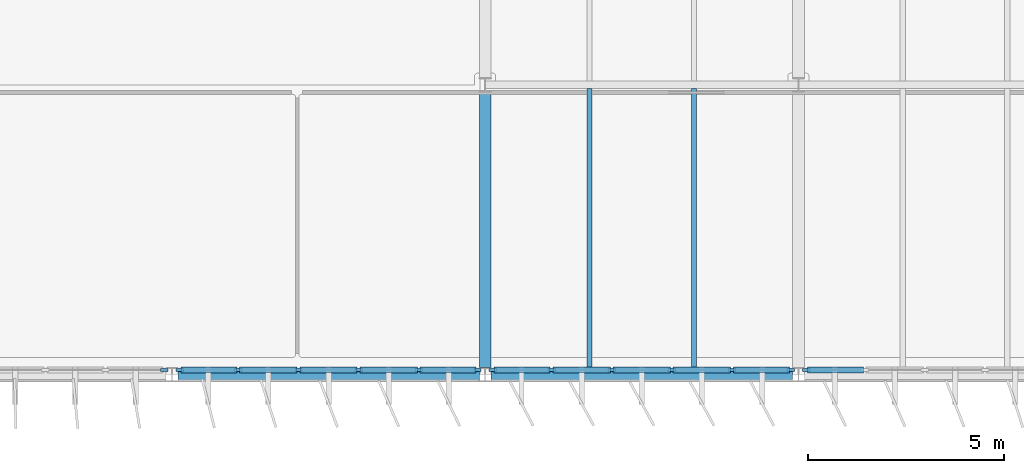
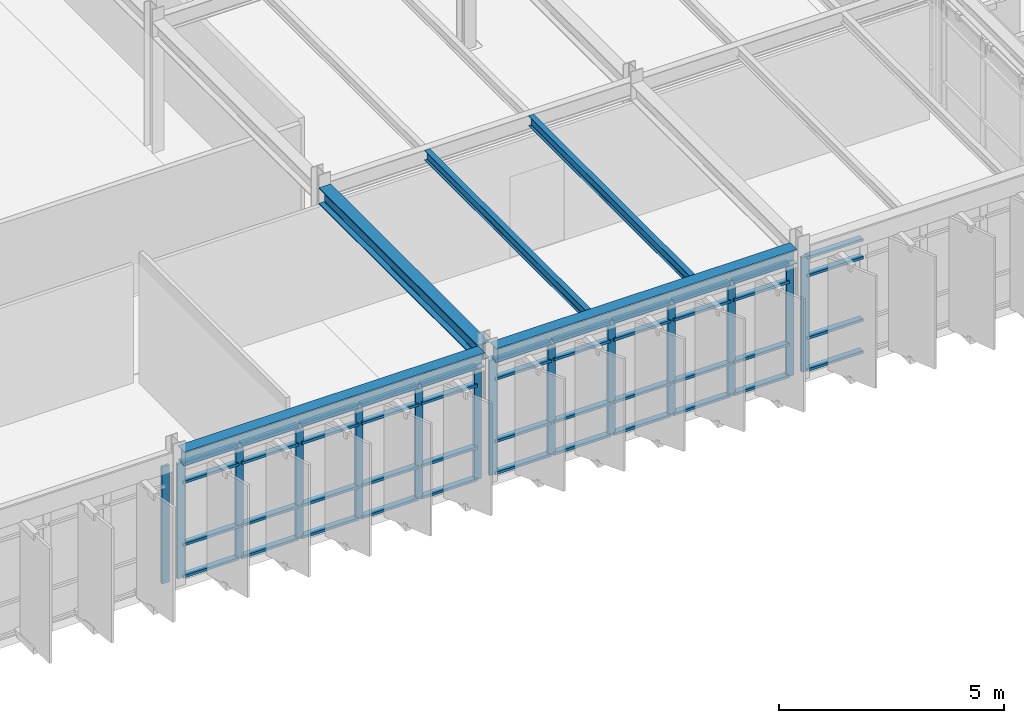
# One storey, part 15 of 45: 58 members, 5 beams, 4 elements without a shape of their own.
"""IFC4 building model written with IfcOpenShell, lengths in metres."""

from ifc_helpers import new_model, si_unit, direction, frame, origin, origin_2d, place, context, subcontext, project, spatial, rectangle, i_section, extrude, material, layer, layer_set, material_profile, profile_set, type_object, element, aggregate, save


model = new_model("IFC4")

# Units and contexts
model_context = context("Model", 3, precision=1e-05, world=origin(), true_north=direction((0.0, 1.0)))
body_context = subcontext(model_context, "Body", "Model", "MODEL_VIEW")
ifc_project = project(units=[si_unit("LENGTHUNIT", "METRE"), si_unit("AREAUNIT", "SQUARE_METRE"), si_unit("VOLUMEUNIT", "CUBIC_METRE"), si_unit("PLANEANGLEUNIT", "RADIAN"), si_unit("MASSUNIT", "GRAM", prefix="KILO")], contexts=[model_context])

# Site, building, storey
site_placement = place(None, origin())
site = spatial("IfcSite", under=ifc_project, at=site_placement, CompositionType="ELEMENT")
building_placement = place(site_placement, origin())
building = spatial("IfcBuilding", under=site, at=building_placement, Name="Valkorina Park Police Headquarters", CompositionType="ELEMENT")
storey_placement = place(building_placement, frame((0.0, 0.0, 23.300048828125)))
storey = spatial("IfcBuildingStorey", under=building, at=storey_placement, Name="L06", CompositionType="ELEMENT", Elevation=23.300048828125)

# Beams
ifc_material_1 = material(Name="Steel S355", Category="steel")
ifc_material_profile_1 = material_profile(ifc_material_1, i_section(OverallWidth=0.300048828125, OverallDepth=0.389892578125, WebThickness=0.010986328125, FlangeThickness=0.01904296875, FilletRadius=0.027099609375, at=origin_2d()), Name="HEA 400")
ifc_profile_set_1 = profile_set([ifc_material_profile_1], Name="Steel S355")
beam_type_1 = type_object("IfcBeamType", Name="BM-S355-HEA400-SPN", PredefinedType="SPANDREL", material=ifc_profile_set_1)
for number, where, z_axis, x_axis, name in (
    (1, (72.949951171875, 37.0, 3.375), (1.0, 0.0, 0.0), (0.0, 1.0, 0.0), "L06 Framing Beam 2611"),
    (2, (80.949951171875, 37.0, 3.375), (1.0, 0.0, 0.0), (0.0, 1.0, 0.0), "L06 Framing Beam 2612"),
):
    element("IfcBeam", number, at=place(storey_placement, frame(where, z_axis=z_axis, x_axis=x_axis)), inside=storey, type_object=beam_type_1, Name=name, PredefinedType="SPANDREL", context=body_context, shape_type="SweptSolid", body=[
        extrude(i_section(OverallWidth=0.300048828125, OverallDepth=0.389892578125, WebThickness=0.010986328125, FlangeThickness=0.01904296875, FilletRadius=0.027099609375, at=origin_2d()), origin(), (0.0, 0.0, 1.0), 7.699951171875),
    ])
ifc_material_profile_2 = material_profile(ifc_material_1, i_section(OverallWidth=0.300048828125, OverallDepth=0.449951171875, WebThickness=0.013916015625, FlangeThickness=0.02587890625, FilletRadius=0.027099609375, at=origin_2d()), Name="HEB 450")
ifc_profile_set_2 = profile_set([ifc_material_profile_2], Name="Steel S355")
beam_type_2 = type_object("IfcBeamType", Name="BM-S355-HEB450-BM", PredefinedType="BEAM", material=ifc_profile_set_2)
beam_placement = place(storey_placement, frame((80.800048828125, 37.179931640625, 3.344970703125), z_axis=(0.0, 1.0, 0.0), x_axis=(-1.0, 0.0, 0.0)))
element("IfcBeam", 3, at=beam_placement, inside=storey, type_object=beam_type_2, Name="L06 Framing Beam 2695", PredefinedType="BEAM", context=body_context, shape_type="SweptSolid", body=[
    extrude(i_section(OverallWidth=0.300048828125, OverallDepth=0.449951171875, WebThickness=0.013916015625, FlangeThickness=0.02587890625, FilletRadius=0.027099609375, at=origin_2d()), origin(), (0.0, 0.0, 1.0), 7.0400390625),
])
ifc_material_profile_3 = material_profile(ifc_material_1, i_section(OverallWidth=0.135009765625, OverallDepth=0.27001953125, WebThickness=0.006591796875, FlangeThickness=0.01025390625, FilletRadius=0.014892578125, at=origin_2d()), Name="IPE 270")
ifc_profile_set_3 = profile_set([ifc_material_profile_3], Name="Steel S355")
beam_type_3 = type_object("IfcBeamType", Name="BM-S355-IPE270-JST", PredefinedType="JOIST", material=ifc_profile_set_3)
for number, where, z_axis, x_axis, name in (
    (4, (83.466796875, 37.14990234375, 3.43505859375), (0.0, 1.0, 0.0), (-1.0, 0.0, 0.0), "L06 Framing Beam 2696"),
    (5, (86.13330078125, 37.14990234375, 3.43505859375), (0.0, 1.0, 0.0), (-1.0, 0.0, 0.0), "L06 Framing Beam 2697"),
):
    element("IfcBeam", number, at=place(storey_placement, frame(where, z_axis=z_axis, x_axis=x_axis)), inside=storey, type_object=beam_type_3, Name=name, PredefinedType="JOIST", context=body_context, shape_type="SweptSolid", body=[
        extrude(i_section(OverallWidth=0.135009765625, OverallDepth=0.27001953125, WebThickness=0.006591796875, FlangeThickness=0.01025390625, FilletRadius=0.014892578125, at=origin_2d()), origin(), (0.0, 0.0, 1.0), 7.155029296875),
    ])

# Curtain wall, member
ifc_material_2 = material(Name="Thermally broken aluminium AW-6060", Category="aluminium")
ifc_layer_1 = layer(ifc_material_2, 0.18994140625)
ifc_layer_set_1 = layer_set([ifc_layer_1], Name="Thermally broken aluminium AW-6060")
curtain_wall_type_1 = type_object("IfcCurtainWallType", Name="CW-V5-7680x3110", PredefinedType="NOTDEFINED", material=ifc_layer_set_1)
curtain_wall_1_placement = place(storey_placement, origin())
curtain_wall_1 = element("IfcCurtainWall", 6, at=curtain_wall_1_placement, inside=storey, type_object=curtain_wall_type_1, Name="L06 Unitised Curtain Wall 121", PredefinedType="NOTDEFINED")
ifc_material_profile_4 = material_profile(ifc_material_2, rectangle(XDim=0.070068359375, YDim=0.18994140625, at=origin_2d()), Name="CWM-02 70x190")
ifc_profile_set_4 = profile_set([ifc_material_profile_4], Name="Thermally broken aluminium AW-6060")
member_type_1 = type_object("IfcMemberType", Name="CWM-70x190", PredefinedType="MULLION", material=ifc_profile_set_4)
member_1_placement = place(storey_placement, frame((88.9951171875, 37.1201171875, 0.0), z_axis=(0.0, 0.0, 1.0), x_axis=(0.0, -1.0, 0.0)))
member_1 = element("IfcMember", 7, at=member_1_placement, type_object=member_type_1, Name="CW-V5-768-311 mullion 6", PredefinedType="MULLION", context=body_context, shape_type="SweptSolid", body=[
    extrude(rectangle(XDim=0.070068359375, YDim=0.18994140625, at=origin_2d()), origin(), (0.0, 0.0, 1.0), 3.10986328125),
])

# Curtain wall, members
curtain_wall_2_placement = place(storey_placement, origin())
curtain_wall_2 = element("IfcCurtainWall", 8, at=curtain_wall_2_placement, inside=storey, type_object=curtain_wall_type_1, Name="L06 Unitised Curtain Wall 122", PredefinedType="NOTDEFINED")
member_2_placement = place(storey_placement, frame((88.60498046875, 37.1201171875, 0.0), z_axis=(0.0, 0.0, 1.0), x_axis=(0.0, -1.0, 0.0)))
member_2 = element("IfcMember", 9, at=member_2_placement, type_object=member_type_1, Name="CW-V5-768-311 mullion 1", PredefinedType="MULLION", context=body_context, shape_type="SweptSolid", body=[
    extrude(rectangle(XDim=0.070068359375, YDim=0.18994140625, at=origin_2d()), origin(), (0.0, 0.0, 1.0), 3.10986328125),
])
member_3_placement = place(storey_placement, frame((87.10400390625, 37.1201171875, 0.0), z_axis=(0.0, 0.0, 1.0), x_axis=(0.0, -1.0, 0.0)))
member_3 = element("IfcMember", 10, at=member_3_placement, type_object=member_type_1, Name="CW-V5-768-311 mullion 2", PredefinedType="MULLION", context=body_context, shape_type="SweptSolid", body=[
    extrude(rectangle(XDim=0.070068359375, YDim=0.18994140625, at=origin_2d()), origin(), (0.0, 0.0, 1.0), 3.10986328125),
])
member_4_placement = place(storey_placement, frame((85.568115234375, 37.1201171875, 0.0), z_axis=(0.0, 0.0, 1.0), x_axis=(0.0, -1.0, 0.0)))
member_4 = element("IfcMember", 11, at=member_4_placement, type_object=member_type_1, Name="CW-V5-768-311 mullion 3", PredefinedType="MULLION", context=body_context, shape_type="SweptSolid", body=[
    extrude(rectangle(XDim=0.070068359375, YDim=0.18994140625, at=origin_2d()), origin(), (0.0, 0.0, 1.0), 3.10986328125),
])
member_5_placement = place(storey_placement, frame((84.031982421875, 37.1201171875, 0.0), z_axis=(0.0, 0.0, 1.0), x_axis=(0.0, -1.0, 0.0)))
member_5 = element("IfcMember", 12, at=member_5_placement, type_object=member_type_1, Name="CW-V5-768-311 mullion 4", PredefinedType="MULLION", context=body_context, shape_type="SweptSolid", body=[
    extrude(rectangle(XDim=0.070068359375, YDim=0.18994140625, at=origin_2d()), origin(), (0.0, 0.0, 1.0), 3.10986328125),
])
member_6_placement = place(storey_placement, frame((82.49609375, 37.1201171875, 0.0), z_axis=(0.0, 0.0, 1.0), x_axis=(0.0, -1.0, 0.0)))
member_6 = element("IfcMember", 13, at=member_6_placement, type_object=member_type_1, Name="CW-V5-768-311 mullion 5", PredefinedType="MULLION", context=body_context, shape_type="SweptSolid", body=[
    extrude(rectangle(XDim=0.070068359375, YDim=0.18994140625, at=origin_2d()), origin(), (0.0, 0.0, 1.0), 3.10986328125),
])
member_7_placement = place(storey_placement, frame((80.9951171875, 37.1201171875, 0.0), z_axis=(0.0, 0.0, 1.0), x_axis=(0.0, -1.0, 0.0)))
member_7 = element("IfcMember", 14, at=member_7_placement, type_object=member_type_1, Name="CW-V5-768-311 mullion 6", PredefinedType="MULLION", context=body_context, shape_type="SweptSolid", body=[
    extrude(rectangle(XDim=0.070068359375, YDim=0.18994140625, at=origin_2d()), origin(), (0.0, 0.0, 1.0), 3.10986328125),
])

curtain_wall_3_placement = place(storey_placement, origin())
curtain_wall_3 = element("IfcCurtainWall", 15, at=curtain_wall_3_placement, inside=storey, type_object=curtain_wall_type_1, Name="L06 Unitised Curtain Wall 123", PredefinedType="NOTDEFINED")
member_8_placement = place(storey_placement, frame((80.60498046875, 37.1201171875, 0.0), z_axis=(0.0, 0.0, 1.0), x_axis=(0.0, -1.0, 0.0)))
member_8 = element("IfcMember", 16, at=member_8_placement, type_object=member_type_1, Name="CW-V5-768-311 mullion 1", PredefinedType="MULLION", context=body_context, shape_type="SweptSolid", body=[
    extrude(rectangle(XDim=0.070068359375, YDim=0.18994140625, at=origin_2d()), origin(), (0.0, 0.0, 1.0), 3.10986328125),
])
member_9_placement = place(storey_placement, frame((79.10400390625, 37.1201171875, 0.0), z_axis=(0.0, 0.0, 1.0), x_axis=(0.0, -1.0, 0.0)))
member_9 = element("IfcMember", 17, at=member_9_placement, type_object=member_type_1, Name="CW-V5-768-311 mullion 2", PredefinedType="MULLION", context=body_context, shape_type="SweptSolid", body=[
    extrude(rectangle(XDim=0.070068359375, YDim=0.18994140625, at=origin_2d()), origin(), (0.0, 0.0, 1.0), 3.10986328125),
])
member_10_placement = place(storey_placement, frame((77.568115234375, 37.1201171875, 0.0), z_axis=(0.0, 0.0, 1.0), x_axis=(0.0, -1.0, 0.0)))
member_10 = element("IfcMember", 18, at=member_10_placement, type_object=member_type_1, Name="CW-V5-768-311 mullion 3", PredefinedType="MULLION", context=body_context, shape_type="SweptSolid", body=[
    extrude(rectangle(XDim=0.070068359375, YDim=0.18994140625, at=origin_2d()), origin(), (0.0, 0.0, 1.0), 3.10986328125),
])
member_11_placement = place(storey_placement, frame((76.031982421875, 37.1201171875, 0.0), z_axis=(0.0, 0.0, 1.0), x_axis=(0.0, -1.0, 0.0)))
member_11 = element("IfcMember", 19, at=member_11_placement, type_object=member_type_1, Name="CW-V5-768-311 mullion 4", PredefinedType="MULLION", context=body_context, shape_type="SweptSolid", body=[
    extrude(rectangle(XDim=0.070068359375, YDim=0.18994140625, at=origin_2d()), origin(), (0.0, 0.0, 1.0), 3.10986328125),
])
member_12_placement = place(storey_placement, frame((74.49609375, 37.1201171875, 0.0), z_axis=(0.0, 0.0, 1.0), x_axis=(0.0, -1.0, 0.0)))
member_12 = element("IfcMember", 20, at=member_12_placement, type_object=member_type_1, Name="CW-V5-768-311 mullion 5", PredefinedType="MULLION", context=body_context, shape_type="SweptSolid", body=[
    extrude(rectangle(XDim=0.070068359375, YDim=0.18994140625, at=origin_2d()), origin(), (0.0, 0.0, 1.0), 3.10986328125),
])
member_13_placement = place(storey_placement, frame((72.9951171875, 37.1201171875, 0.0), z_axis=(0.0, 0.0, 1.0), x_axis=(0.0, -1.0, 0.0)))
member_13 = element("IfcMember", 21, at=member_13_placement, type_object=member_type_1, Name="CW-V5-768-311 mullion 6", PredefinedType="MULLION", context=body_context, shape_type="SweptSolid", body=[
    extrude(rectangle(XDim=0.070068359375, YDim=0.18994140625, at=origin_2d()), origin(), (0.0, 0.0, 1.0), 3.10986328125),
])

# Curtain wall, member
ifc_layer_2 = layer(ifc_material_2, 0.18994140625)
ifc_layer_set_2 = layer_set([ifc_layer_2], Name="Thermally broken aluminium AW-6060")
curtain_wall_type_2 = type_object("IfcCurtainWallType", Name="CW-V5-7680x3170", PredefinedType="NOTDEFINED", material=ifc_layer_set_2)
curtain_wall_4_placement = place(storey_placement, origin())
curtain_wall_4 = element("IfcCurtainWall", 22, at=curtain_wall_4_placement, inside=storey, type_object=curtain_wall_type_2, Name="L06 Unitised Curtain Wall 124", PredefinedType="NOTDEFINED")
member_14_placement = place(storey_placement, frame((72.60498046875, 37.1201171875, 0.0), z_axis=(0.0, 0.0, 1.0), x_axis=(0.0, -1.0, 0.0)))
member_14 = element("IfcMember", 23, at=member_14_placement, type_object=member_type_1, Name="CW-V5-768-317 mullion 1", PredefinedType="MULLION", context=body_context, shape_type="SweptSolid", body=[
    extrude(rectangle(XDim=0.070068359375, YDim=0.18994140625, at=origin_2d()), origin(), (0.0, 0.0, 1.0), 3.169921875),
])
aggregate(curtain_wall_4, [member_14])

# Member
ifc_material_profile_5 = material_profile(ifc_material_2, rectangle(XDim=0.14990234375, YDim=0.070068359375, at=origin_2d()), Name="CWT-02 150x70")
ifc_profile_set_5 = profile_set([ifc_material_profile_5], Name="Thermally broken aluminium AW-6060")
member_type_2 = type_object("IfcMemberType", Name="CWT-150x70", PredefinedType="USERDEFINED", material=ifc_profile_set_5)
member_15_placement = place(storey_placement, frame((90.4609375, 37.1201171875, 0.034912109375), z_axis=(-1.0, 0.0, 0.0), x_axis=(0.0, -1.0, 0.0)))
member_15 = element("IfcMember", 24, at=member_15_placement, type_object=member_type_2, Name="CW-V5-768-311 transom 5.1", ObjectType="TRANSOM", PredefinedType="USERDEFINED", context=body_context, shape_type="SweptSolid", body=[
    extrude(rectangle(XDim=0.14990234375, YDim=0.070068359375, at=origin_2d()), origin(), (0.0, 0.0, 1.0), 1.430908203125),
])

member_16_placement = place(storey_placement, frame((90.4609375, 37.1201171875, 0.89990234375), z_axis=(-1.0, 0.0, 0.0), x_axis=(0.0, -1.0, 0.0)))
member_16 = element("IfcMember", 25, at=member_16_placement, type_object=member_type_2, Name="CW-V5-768-311 transom 5.2", ObjectType="TRANSOM", PredefinedType="USERDEFINED", context=body_context, shape_type="SweptSolid", body=[
    extrude(rectangle(XDim=0.14990234375, YDim=0.070068359375, at=origin_2d()), origin(), (0.0, 0.0, 1.0), 1.430908203125),
])

member_17_placement = place(storey_placement, frame((90.4609375, 37.1201171875, 2.58984375), z_axis=(-1.0, 0.0, 0.0), x_axis=(0.0, -1.0, 0.0)))
member_17 = element("IfcMember", 26, at=member_17_placement, type_object=member_type_2, Name="CW-V5-768-311 transom 5.3", ObjectType="TRANSOM", PredefinedType="USERDEFINED", context=body_context, shape_type="SweptSolid", body=[
    extrude(rectangle(XDim=0.14990234375, YDim=0.070068359375, at=origin_2d()), origin(), (0.0, 0.0, 1.0), 1.430908203125),
])

member_18_placement = place(storey_placement, frame((90.4609375, 37.1201171875, 3.074951171875), z_axis=(-1.0, 0.0, 0.0), x_axis=(0.0, -1.0, 0.0)))
member_18 = element("IfcMember", 27, at=member_18_placement, type_object=member_type_2, Name="CW-V5-768-311 transom 5.4", ObjectType="TRANSOM", PredefinedType="USERDEFINED", context=body_context, shape_type="SweptSolid", body=[
    extrude(rectangle(XDim=0.14990234375, YDim=0.070068359375, at=origin_2d()), origin(), (0.0, 0.0, 1.0), 1.430908203125),
])

aggregate(curtain_wall_1, [member_1, member_15, member_16, member_17, member_18])

member_19_placement = place(storey_placement, frame((88.570068359375, 37.1201171875, 0.034912109375), z_axis=(-1.0, 0.0, 0.0), x_axis=(0.0, -1.0, 0.0)))
member_19 = element("IfcMember", 28, at=member_19_placement, type_object=member_type_2, Name="CW-V5-768-311 transom 1.1", ObjectType="TRANSOM", PredefinedType="USERDEFINED", context=body_context, shape_type="SweptSolid", body=[
    extrude(rectangle(XDim=0.14990234375, YDim=0.070068359375, at=origin_2d()), origin(), (0.0, 0.0, 1.0), 1.43115234375),
])

member_20_placement = place(storey_placement, frame((88.570068359375, 37.1201171875, 0.89990234375), z_axis=(-1.0, 0.0, 0.0), x_axis=(0.0, -1.0, 0.0)))
member_20 = element("IfcMember", 29, at=member_20_placement, type_object=member_type_2, Name="CW-V5-768-311 transom 1.2", ObjectType="TRANSOM", PredefinedType="USERDEFINED", context=body_context, shape_type="SweptSolid", body=[
    extrude(rectangle(XDim=0.14990234375, YDim=0.070068359375, at=origin_2d()), origin(), (0.0, 0.0, 1.0), 1.43115234375),
])

member_21_placement = place(storey_placement, frame((88.570068359375, 37.1201171875, 2.58984375), z_axis=(-1.0, 0.0, 0.0), x_axis=(0.0, -1.0, 0.0)))
member_21 = element("IfcMember", 30, at=member_21_placement, type_object=member_type_2, Name="CW-V5-768-311 transom 1.3", ObjectType="TRANSOM", PredefinedType="USERDEFINED", context=body_context, shape_type="SweptSolid", body=[
    extrude(rectangle(XDim=0.14990234375, YDim=0.070068359375, at=origin_2d()), origin(), (0.0, 0.0, 1.0), 1.43115234375),
])

member_22_placement = place(storey_placement, frame((88.570068359375, 37.1201171875, 3.074951171875), z_axis=(-1.0, 0.0, 0.0), x_axis=(0.0, -1.0, 0.0)))
member_22 = element("IfcMember", 31, at=member_22_placement, type_object=member_type_2, Name="CW-V5-768-311 transom 1.4", ObjectType="TRANSOM", PredefinedType="USERDEFINED", context=body_context, shape_type="SweptSolid", body=[
    extrude(rectangle(XDim=0.14990234375, YDim=0.070068359375, at=origin_2d()), origin(), (0.0, 0.0, 1.0), 1.43115234375),
])

member_23_placement = place(storey_placement, frame((87.069091796875, 37.1201171875, 0.034912109375), z_axis=(-1.0, 0.0, 0.0), x_axis=(0.0, -1.0, 0.0)))
member_23 = element("IfcMember", 32, at=member_23_placement, type_object=member_type_2, Name="CW-V5-768-311 transom 2.1", ObjectType="TRANSOM", PredefinedType="USERDEFINED", context=body_context, shape_type="SweptSolid", body=[
    extrude(rectangle(XDim=0.14990234375, YDim=0.070068359375, at=origin_2d()), origin(), (0.0, 0.0, 1.0), 1.466064453125),
])

member_24_placement = place(storey_placement, frame((87.069091796875, 37.1201171875, 0.89990234375), z_axis=(-1.0, 0.0, 0.0), x_axis=(0.0, -1.0, 0.0)))
member_24 = element("IfcMember", 33, at=member_24_placement, type_object=member_type_2, Name="CW-V5-768-311 transom 2.2", ObjectType="TRANSOM", PredefinedType="USERDEFINED", context=body_context, shape_type="SweptSolid", body=[
    extrude(rectangle(XDim=0.14990234375, YDim=0.070068359375, at=origin_2d()), origin(), (0.0, 0.0, 1.0), 1.466064453125),
])

member_25_placement = place(storey_placement, frame((87.069091796875, 37.1201171875, 2.58984375), z_axis=(-1.0, 0.0, 0.0), x_axis=(0.0, -1.0, 0.0)))
member_25 = element("IfcMember", 34, at=member_25_placement, type_object=member_type_2, Name="CW-V5-768-311 transom 2.3", ObjectType="TRANSOM", PredefinedType="USERDEFINED", context=body_context, shape_type="SweptSolid", body=[
    extrude(rectangle(XDim=0.14990234375, YDim=0.070068359375, at=origin_2d()), origin(), (0.0, 0.0, 1.0), 1.466064453125),
])

member_26_placement = place(storey_placement, frame((87.069091796875, 37.1201171875, 3.074951171875), z_axis=(-1.0, 0.0, 0.0), x_axis=(0.0, -1.0, 0.0)))
member_26 = element("IfcMember", 35, at=member_26_placement, type_object=member_type_2, Name="CW-V5-768-311 transom 2.4", ObjectType="TRANSOM", PredefinedType="USERDEFINED", context=body_context, shape_type="SweptSolid", body=[
    extrude(rectangle(XDim=0.14990234375, YDim=0.070068359375, at=origin_2d()), origin(), (0.0, 0.0, 1.0), 1.466064453125),
])

member_27_placement = place(storey_placement, frame((85.532958984375, 37.1201171875, 0.034912109375), z_axis=(-1.0, 0.0, 0.0), x_axis=(0.0, -1.0, 0.0)))
member_27 = element("IfcMember", 36, at=member_27_placement, type_object=member_type_2, Name="CW-V5-768-311 transom 3.1", ObjectType="TRANSOM", PredefinedType="USERDEFINED", context=body_context, shape_type="SweptSolid", body=[
    extrude(rectangle(XDim=0.14990234375, YDim=0.070068359375, at=origin_2d()), origin(), (0.0, 0.0, 1.0), 1.466064453125),
])

member_28_placement = place(storey_placement, frame((85.532958984375, 37.1201171875, 0.89990234375), z_axis=(-1.0, 0.0, 0.0), x_axis=(0.0, -1.0, 0.0)))
member_28 = element("IfcMember", 37, at=member_28_placement, type_object=member_type_2, Name="CW-V5-768-311 transom 3.2", ObjectType="TRANSOM", PredefinedType="USERDEFINED", context=body_context, shape_type="SweptSolid", body=[
    extrude(rectangle(XDim=0.14990234375, YDim=0.070068359375, at=origin_2d()), origin(), (0.0, 0.0, 1.0), 1.466064453125),
])

member_29_placement = place(storey_placement, frame((85.532958984375, 37.1201171875, 2.58984375), z_axis=(-1.0, 0.0, 0.0), x_axis=(0.0, -1.0, 0.0)))
member_29 = element("IfcMember", 38, at=member_29_placement, type_object=member_type_2, Name="CW-V5-768-311 transom 3.3", ObjectType="TRANSOM", PredefinedType="USERDEFINED", context=body_context, shape_type="SweptSolid", body=[
    extrude(rectangle(XDim=0.14990234375, YDim=0.070068359375, at=origin_2d()), origin(), (0.0, 0.0, 1.0), 1.466064453125),
])

member_30_placement = place(storey_placement, frame((85.532958984375, 37.1201171875, 3.074951171875), z_axis=(-1.0, 0.0, 0.0), x_axis=(0.0, -1.0, 0.0)))
member_30 = element("IfcMember", 39, at=member_30_placement, type_object=member_type_2, Name="CW-V5-768-311 transom 3.4", ObjectType="TRANSOM", PredefinedType="USERDEFINED", context=body_context, shape_type="SweptSolid", body=[
    extrude(rectangle(XDim=0.14990234375, YDim=0.070068359375, at=origin_2d()), origin(), (0.0, 0.0, 1.0), 1.466064453125),
])

member_31_placement = place(storey_placement, frame((83.9970703125, 37.1201171875, 0.034912109375), z_axis=(-1.0, 0.0, 0.0), x_axis=(0.0, -1.0, 0.0)))
member_31 = element("IfcMember", 40, at=member_31_placement, type_object=member_type_2, Name="CW-V5-768-311 transom 4.1", ObjectType="TRANSOM", PredefinedType="USERDEFINED", context=body_context, shape_type="SweptSolid", body=[
    extrude(rectangle(XDim=0.14990234375, YDim=0.070068359375, at=origin_2d()), origin(), (0.0, 0.0, 1.0), 1.466064453125),
])

member_32_placement = place(storey_placement, frame((83.9970703125, 37.1201171875, 0.89990234375), z_axis=(-1.0, 0.0, 0.0), x_axis=(0.0, -1.0, 0.0)))
member_32 = element("IfcMember", 41, at=member_32_placement, type_object=member_type_2, Name="CW-V5-768-311 transom 4.2", ObjectType="TRANSOM", PredefinedType="USERDEFINED", context=body_context, shape_type="SweptSolid", body=[
    extrude(rectangle(XDim=0.14990234375, YDim=0.070068359375, at=origin_2d()), origin(), (0.0, 0.0, 1.0), 1.466064453125),
])

member_33_placement = place(storey_placement, frame((83.9970703125, 37.1201171875, 2.58984375), z_axis=(-1.0, 0.0, 0.0), x_axis=(0.0, -1.0, 0.0)))
member_33 = element("IfcMember", 42, at=member_33_placement, type_object=member_type_2, Name="CW-V5-768-311 transom 4.3", ObjectType="TRANSOM", PredefinedType="USERDEFINED", context=body_context, shape_type="SweptSolid", body=[
    extrude(rectangle(XDim=0.14990234375, YDim=0.070068359375, at=origin_2d()), origin(), (0.0, 0.0, 1.0), 1.466064453125),
])

member_34_placement = place(storey_placement, frame((83.9970703125, 37.1201171875, 3.074951171875), z_axis=(-1.0, 0.0, 0.0), x_axis=(0.0, -1.0, 0.0)))
member_34 = element("IfcMember", 43, at=member_34_placement, type_object=member_type_2, Name="CW-V5-768-311 transom 4.4", ObjectType="TRANSOM", PredefinedType="USERDEFINED", context=body_context, shape_type="SweptSolid", body=[
    extrude(rectangle(XDim=0.14990234375, YDim=0.070068359375, at=origin_2d()), origin(), (0.0, 0.0, 1.0), 1.466064453125),
])

member_35_placement = place(storey_placement, frame((82.4609375, 37.1201171875, 0.034912109375), z_axis=(-1.0, 0.0, 0.0), x_axis=(0.0, -1.0, 0.0)))
member_35 = element("IfcMember", 44, at=member_35_placement, type_object=member_type_2, Name="CW-V5-768-311 transom 5.1", ObjectType="TRANSOM", PredefinedType="USERDEFINED", context=body_context, shape_type="SweptSolid", body=[
    extrude(rectangle(XDim=0.14990234375, YDim=0.070068359375, at=origin_2d()), origin(), (0.0, 0.0, 1.0), 1.430908203125),
])

member_36_placement = place(storey_placement, frame((82.4609375, 37.1201171875, 0.89990234375), z_axis=(-1.0, 0.0, 0.0), x_axis=(0.0, -1.0, 0.0)))
member_36 = element("IfcMember", 45, at=member_36_placement, type_object=member_type_2, Name="CW-V5-768-311 transom 5.2", ObjectType="TRANSOM", PredefinedType="USERDEFINED", context=body_context, shape_type="SweptSolid", body=[
    extrude(rectangle(XDim=0.14990234375, YDim=0.070068359375, at=origin_2d()), origin(), (0.0, 0.0, 1.0), 1.430908203125),
])

member_37_placement = place(storey_placement, frame((82.4609375, 37.1201171875, 2.58984375), z_axis=(-1.0, 0.0, 0.0), x_axis=(0.0, -1.0, 0.0)))
member_37 = element("IfcMember", 46, at=member_37_placement, type_object=member_type_2, Name="CW-V5-768-311 transom 5.3", ObjectType="TRANSOM", PredefinedType="USERDEFINED", context=body_context, shape_type="SweptSolid", body=[
    extrude(rectangle(XDim=0.14990234375, YDim=0.070068359375, at=origin_2d()), origin(), (0.0, 0.0, 1.0), 1.430908203125),
])

member_38_placement = place(storey_placement, frame((82.4609375, 37.1201171875, 3.074951171875), z_axis=(-1.0, 0.0, 0.0), x_axis=(0.0, -1.0, 0.0)))
member_38 = element("IfcMember", 47, at=member_38_placement, type_object=member_type_2, Name="CW-V5-768-311 transom 5.4", ObjectType="TRANSOM", PredefinedType="USERDEFINED", context=body_context, shape_type="SweptSolid", body=[
    extrude(rectangle(XDim=0.14990234375, YDim=0.070068359375, at=origin_2d()), origin(), (0.0, 0.0, 1.0), 1.430908203125),
])

aggregate(curtain_wall_2, [member_2, member_3, member_4, member_5, member_6, member_7, member_19, member_20, member_21, member_22, member_23, member_24, member_25, member_26, member_27, member_28, member_29, member_30, member_31, member_32, member_33, member_34, member_35, member_36, member_37, member_38])

member_39_placement = place(storey_placement, frame((80.570068359375, 37.1201171875, 0.034912109375), z_axis=(-1.0, 0.0, 0.0), x_axis=(0.0, -1.0, 0.0)))
member_39 = element("IfcMember", 48, at=member_39_placement, type_object=member_type_2, Name="CW-V5-768-311 transom 1.1", ObjectType="TRANSOM", PredefinedType="USERDEFINED", context=body_context, shape_type="SweptSolid", body=[
    extrude(rectangle(XDim=0.14990234375, YDim=0.070068359375, at=origin_2d()), origin(), (0.0, 0.0, 1.0), 1.43115234375),
])

member_40_placement = place(storey_placement, frame((80.570068359375, 37.1201171875, 0.89990234375), z_axis=(-1.0, 0.0, 0.0), x_axis=(0.0, -1.0, 0.0)))
member_40 = element("IfcMember", 49, at=member_40_placement, type_object=member_type_2, Name="CW-V5-768-311 transom 1.2", ObjectType="TRANSOM", PredefinedType="USERDEFINED", context=body_context, shape_type="SweptSolid", body=[
    extrude(rectangle(XDim=0.14990234375, YDim=0.070068359375, at=origin_2d()), origin(), (0.0, 0.0, 1.0), 1.43115234375),
])

member_41_placement = place(storey_placement, frame((80.570068359375, 37.1201171875, 2.58984375), z_axis=(-1.0, 0.0, 0.0), x_axis=(0.0, -1.0, 0.0)))
member_41 = element("IfcMember", 50, at=member_41_placement, type_object=member_type_2, Name="CW-V5-768-311 transom 1.3", ObjectType="TRANSOM", PredefinedType="USERDEFINED", context=body_context, shape_type="SweptSolid", body=[
    extrude(rectangle(XDim=0.14990234375, YDim=0.070068359375, at=origin_2d()), origin(), (0.0, 0.0, 1.0), 1.43115234375),
])

member_42_placement = place(storey_placement, frame((80.570068359375, 37.1201171875, 3.074951171875), z_axis=(-1.0, 0.0, 0.0), x_axis=(0.0, -1.0, 0.0)))
member_42 = element("IfcMember", 51, at=member_42_placement, type_object=member_type_2, Name="CW-V5-768-311 transom 1.4", ObjectType="TRANSOM", PredefinedType="USERDEFINED", context=body_context, shape_type="SweptSolid", body=[
    extrude(rectangle(XDim=0.14990234375, YDim=0.070068359375, at=origin_2d()), origin(), (0.0, 0.0, 1.0), 1.43115234375),
])

member_43_placement = place(storey_placement, frame((79.069091796875, 37.1201171875, 0.034912109375), z_axis=(-1.0, 0.0, 0.0), x_axis=(0.0, -1.0, 0.0)))
member_43 = element("IfcMember", 52, at=member_43_placement, type_object=member_type_2, Name="CW-V5-768-311 transom 2.1", ObjectType="TRANSOM", PredefinedType="USERDEFINED", context=body_context, shape_type="SweptSolid", body=[
    extrude(rectangle(XDim=0.14990234375, YDim=0.070068359375, at=origin_2d()), origin(), (0.0, 0.0, 1.0), 1.466064453125),
])

member_44_placement = place(storey_placement, frame((79.069091796875, 37.1201171875, 0.89990234375), z_axis=(-1.0, 0.0, 0.0), x_axis=(0.0, -1.0, 0.0)))
member_44 = element("IfcMember", 53, at=member_44_placement, type_object=member_type_2, Name="CW-V5-768-311 transom 2.2", ObjectType="TRANSOM", PredefinedType="USERDEFINED", context=body_context, shape_type="SweptSolid", body=[
    extrude(rectangle(XDim=0.14990234375, YDim=0.070068359375, at=origin_2d()), origin(), (0.0, 0.0, 1.0), 1.466064453125),
])

member_45_placement = place(storey_placement, frame((79.069091796875, 37.1201171875, 2.58984375), z_axis=(-1.0, 0.0, 0.0), x_axis=(0.0, -1.0, 0.0)))
member_45 = element("IfcMember", 54, at=member_45_placement, type_object=member_type_2, Name="CW-V5-768-311 transom 2.3", ObjectType="TRANSOM", PredefinedType="USERDEFINED", context=body_context, shape_type="SweptSolid", body=[
    extrude(rectangle(XDim=0.14990234375, YDim=0.070068359375, at=origin_2d()), origin(), (0.0, 0.0, 1.0), 1.466064453125),
])

member_46_placement = place(storey_placement, frame((79.069091796875, 37.1201171875, 3.074951171875), z_axis=(-1.0, 0.0, 0.0), x_axis=(0.0, -1.0, 0.0)))
member_46 = element("IfcMember", 55, at=member_46_placement, type_object=member_type_2, Name="CW-V5-768-311 transom 2.4", ObjectType="TRANSOM", PredefinedType="USERDEFINED", context=body_context, shape_type="SweptSolid", body=[
    extrude(rectangle(XDim=0.14990234375, YDim=0.070068359375, at=origin_2d()), origin(), (0.0, 0.0, 1.0), 1.466064453125),
])

member_47_placement = place(storey_placement, frame((77.532958984375, 37.1201171875, 0.034912109375), z_axis=(-1.0, 0.0, 0.0), x_axis=(0.0, -1.0, 0.0)))
member_47 = element("IfcMember", 56, at=member_47_placement, type_object=member_type_2, Name="CW-V5-768-311 transom 3.1", ObjectType="TRANSOM", PredefinedType="USERDEFINED", context=body_context, shape_type="SweptSolid", body=[
    extrude(rectangle(XDim=0.14990234375, YDim=0.070068359375, at=origin_2d()), origin(), (0.0, 0.0, 1.0), 1.466064453125),
])

member_48_placement = place(storey_placement, frame((77.532958984375, 37.1201171875, 0.89990234375), z_axis=(-1.0, 0.0, 0.0), x_axis=(0.0, -1.0, 0.0)))
member_48 = element("IfcMember", 57, at=member_48_placement, type_object=member_type_2, Name="CW-V5-768-311 transom 3.2", ObjectType="TRANSOM", PredefinedType="USERDEFINED", context=body_context, shape_type="SweptSolid", body=[
    extrude(rectangle(XDim=0.14990234375, YDim=0.070068359375, at=origin_2d()), origin(), (0.0, 0.0, 1.0), 1.466064453125),
])

member_49_placement = place(storey_placement, frame((77.532958984375, 37.1201171875, 2.58984375), z_axis=(-1.0, 0.0, 0.0), x_axis=(0.0, -1.0, 0.0)))
member_49 = element("IfcMember", 58, at=member_49_placement, type_object=member_type_2, Name="CW-V5-768-311 transom 3.3", ObjectType="TRANSOM", PredefinedType="USERDEFINED", context=body_context, shape_type="SweptSolid", body=[
    extrude(rectangle(XDim=0.14990234375, YDim=0.070068359375, at=origin_2d()), origin(), (0.0, 0.0, 1.0), 1.466064453125),
])

member_50_placement = place(storey_placement, frame((77.532958984375, 37.1201171875, 3.074951171875), z_axis=(-1.0, 0.0, 0.0), x_axis=(0.0, -1.0, 0.0)))
member_50 = element("IfcMember", 59, at=member_50_placement, type_object=member_type_2, Name="CW-V5-768-311 transom 3.4", ObjectType="TRANSOM", PredefinedType="USERDEFINED", context=body_context, shape_type="SweptSolid", body=[
    extrude(rectangle(XDim=0.14990234375, YDim=0.070068359375, at=origin_2d()), origin(), (0.0, 0.0, 1.0), 1.466064453125),
])

member_51_placement = place(storey_placement, frame((75.9970703125, 37.1201171875, 0.034912109375), z_axis=(-1.0, 0.0, 0.0), x_axis=(0.0, -1.0, 0.0)))
member_51 = element("IfcMember", 60, at=member_51_placement, type_object=member_type_2, Name="CW-V5-768-311 transom 4.1", ObjectType="TRANSOM", PredefinedType="USERDEFINED", context=body_context, shape_type="SweptSolid", body=[
    extrude(rectangle(XDim=0.14990234375, YDim=0.070068359375, at=origin_2d()), origin(), (0.0, 0.0, 1.0), 1.466064453125),
])

member_52_placement = place(storey_placement, frame((75.9970703125, 37.1201171875, 0.89990234375), z_axis=(-1.0, 0.0, 0.0), x_axis=(0.0, -1.0, 0.0)))
member_52 = element("IfcMember", 61, at=member_52_placement, type_object=member_type_2, Name="CW-V5-768-311 transom 4.2", ObjectType="TRANSOM", PredefinedType="USERDEFINED", context=body_context, shape_type="SweptSolid", body=[
    extrude(rectangle(XDim=0.14990234375, YDim=0.070068359375, at=origin_2d()), origin(), (0.0, 0.0, 1.0), 1.466064453125),
])

member_53_placement = place(storey_placement, frame((75.9970703125, 37.1201171875, 2.58984375), z_axis=(-1.0, 0.0, 0.0), x_axis=(0.0, -1.0, 0.0)))
member_53 = element("IfcMember", 62, at=member_53_placement, type_object=member_type_2, Name="CW-V5-768-311 transom 4.3", ObjectType="TRANSOM", PredefinedType="USERDEFINED", context=body_context, shape_type="SweptSolid", body=[
    extrude(rectangle(XDim=0.14990234375, YDim=0.070068359375, at=origin_2d()), origin(), (0.0, 0.0, 1.0), 1.466064453125),
])

member_54_placement = place(storey_placement, frame((75.9970703125, 37.1201171875, 3.074951171875), z_axis=(-1.0, 0.0, 0.0), x_axis=(0.0, -1.0, 0.0)))
member_54 = element("IfcMember", 63, at=member_54_placement, type_object=member_type_2, Name="CW-V5-768-311 transom 4.4", ObjectType="TRANSOM", PredefinedType="USERDEFINED", context=body_context, shape_type="SweptSolid", body=[
    extrude(rectangle(XDim=0.14990234375, YDim=0.070068359375, at=origin_2d()), origin(), (0.0, 0.0, 1.0), 1.466064453125),
])

member_55_placement = place(storey_placement, frame((74.4609375, 37.1201171875, 0.034912109375), z_axis=(-1.0, 0.0, 0.0), x_axis=(0.0, -1.0, 0.0)))
member_55 = element("IfcMember", 64, at=member_55_placement, type_object=member_type_2, Name="CW-V5-768-311 transom 5.1", ObjectType="TRANSOM", PredefinedType="USERDEFINED", context=body_context, shape_type="SweptSolid", body=[
    extrude(rectangle(XDim=0.14990234375, YDim=0.070068359375, at=origin_2d()), origin(), (0.0, 0.0, 1.0), 1.430908203125),
])

member_56_placement = place(storey_placement, frame((74.4609375, 37.1201171875, 0.89990234375), z_axis=(-1.0, 0.0, 0.0), x_axis=(0.0, -1.0, 0.0)))
member_56 = element("IfcMember", 65, at=member_56_placement, type_object=member_type_2, Name="CW-V5-768-311 transom 5.2", ObjectType="TRANSOM", PredefinedType="USERDEFINED", context=body_context, shape_type="SweptSolid", body=[
    extrude(rectangle(XDim=0.14990234375, YDim=0.070068359375, at=origin_2d()), origin(), (0.0, 0.0, 1.0), 1.430908203125),
])

member_57_placement = place(storey_placement, frame((74.4609375, 37.1201171875, 2.58984375), z_axis=(-1.0, 0.0, 0.0), x_axis=(0.0, -1.0, 0.0)))
member_57 = element("IfcMember", 66, at=member_57_placement, type_object=member_type_2, Name="CW-V5-768-311 transom 5.3", ObjectType="TRANSOM", PredefinedType="USERDEFINED", context=body_context, shape_type="SweptSolid", body=[
    extrude(rectangle(XDim=0.14990234375, YDim=0.070068359375, at=origin_2d()), origin(), (0.0, 0.0, 1.0), 1.430908203125),
])

member_58_placement = place(storey_placement, frame((74.4609375, 37.1201171875, 3.074951171875), z_axis=(-1.0, 0.0, 0.0), x_axis=(0.0, -1.0, 0.0)))
member_58 = element("IfcMember", 67, at=member_58_placement, type_object=member_type_2, Name="CW-V5-768-311 transom 5.4", ObjectType="TRANSOM", PredefinedType="USERDEFINED", context=body_context, shape_type="SweptSolid", body=[
    extrude(rectangle(XDim=0.14990234375, YDim=0.070068359375, at=origin_2d()), origin(), (0.0, 0.0, 1.0), 1.430908203125),
])

aggregate(curtain_wall_3, [member_8, member_9, member_10, member_11, member_12, member_13, member_39, member_40, member_41, member_42, member_43, member_44, member_45, member_46, member_47, member_48, member_49, member_50, member_51, member_52, member_53, member_54, member_55, member_56, member_57, member_58])

save(model, "model.ifc")
